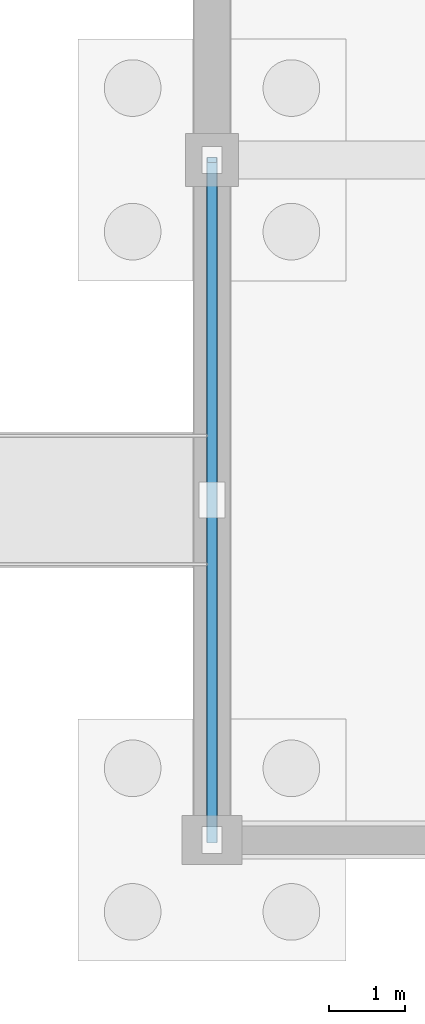
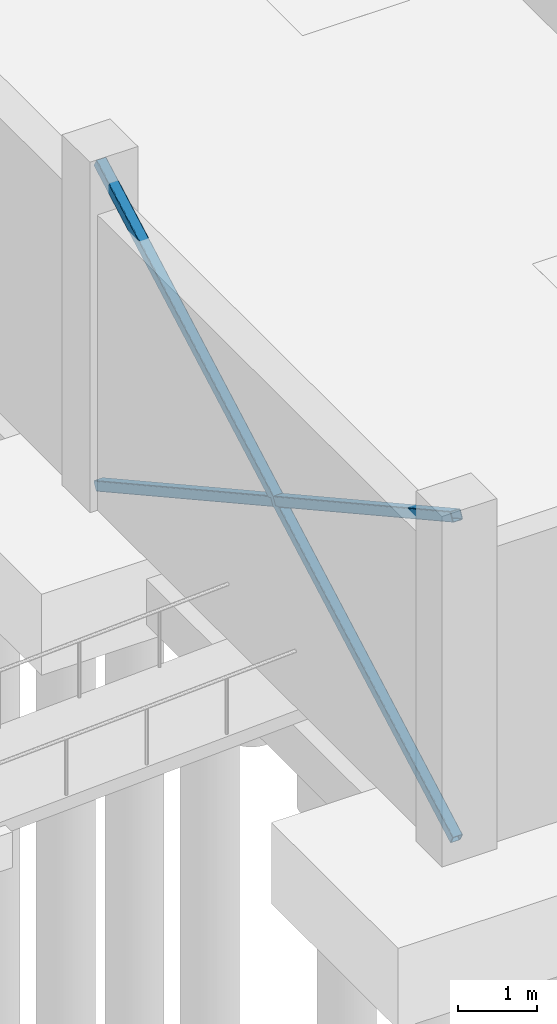
# One storey, part 55 of 118: 3 members.
"""IFC4 building model written with IfcOpenShell, lengths in metres."""

from ifc_helpers import new_model, si_unit, direction, frame, origin, origin_2d, place, context, subcontext, project, spatial, hollow_rectangle, extrude, material, material_profile, profile_set, type_object, element, save


model = new_model("IFC4")

# Units and contexts
model_context = context("Model", 3, precision=1e-05, world=origin(), true_north=direction((0.0, 1.0)))
body_context = subcontext(model_context, "Body", "Model", "MODEL_VIEW")
ifc_project = project(units=[si_unit("LENGTHUNIT", "METRE"), si_unit("AREAUNIT", "SQUARE_METRE"), si_unit("VOLUMEUNIT", "CUBIC_METRE"), si_unit("PLANEANGLEUNIT", "RADIAN"), si_unit("MASSUNIT", "GRAM", prefix="KILO")], contexts=[model_context])

# Site, building, storey
site_placement = place(None, origin())
site = spatial("IfcSite", under=ifc_project, at=site_placement, CompositionType="ELEMENT")
building_placement = place(site_placement, origin())
building = spatial("IfcBuilding", under=site, at=building_placement, Name="Kildeholm Park Wholesale Market", CompositionType="ELEMENT")
storey_placement = place(building_placement, origin())
storey = spatial("IfcBuildingStorey", under=building, at=storey_placement, Name="L00", CompositionType="ELEMENT", Elevation=0.0)

# Members
ifc_material = material(Name="Steel S355", Category="steel")
ifc_material_profile = material_profile(ifc_material, hollow_rectangle(XDim=0.14990234375, YDim=0.14990234375, WallThickness=0.010009765625, InnerFilletRadius=0.010009765625, OuterFilletRadius=0.02001953125, at=origin_2d()), Name="SHS 150x150x10")
ifc_profile_set = profile_set([ifc_material_profile], Name="Steel S355")
member_type = type_object("IfcMemberType", Name="Member TB-03 SHS 150x150x10", PredefinedType="BRACE", material=ifc_profile_set)
member_placement = place(storey_placement, frame((0.0, 99.0, 0.10009765625), z_axis=(0.0, 0.874982272, 0.48415495834), x_axis=(-1.0, 0.0, 0.0)))
element("IfcMember", 1, at=member_placement, inside=storey, type_object=member_type, Name="Member BR-V4-L00-1 MEM-0348", PredefinedType="BRACE", context=body_context, shape_type="SweptSolid", body=[
    extrude(hollow_rectangle(XDim=0.14990234375, YDim=0.14990234375, WallThickness=0.010009765625, InnerFilletRadius=0.010009765625, OuterFilletRadius=0.02001953125, at=origin_2d()), origin(), (0.0, 0.0, 1.0), 10.285888671875),
])
for number, where, z_axis, x_axis, name in (
    (2, (0.0, 108.0, 0.10009765625), (0.0, -0.874999978051, 0.484122957947), (1.0, 0.0, 0.0), "Member BR-V4-L00-2A MEM-0349"),
    (3, (0.0, 103.465087890625, 2.609375), (0.0, -0.874979711111, 0.484159586442), (1.0, 0.0, 0.0), "Member BR-V4-L00-2B MEM-0350"),
):
    element("IfcMember", number, at=place(storey_placement, frame(where, z_axis=z_axis, x_axis=x_axis)), inside=storey, type_object=member_type, Name=name, PredefinedType="BRACE", context=body_context, shape_type="SweptSolid", body=[
        extrude(hollow_rectangle(XDim=0.14990234375, YDim=0.14990234375, WallThickness=0.010009765625, InnerFilletRadius=0.010009765625, OuterFilletRadius=0.02001953125, at=origin_2d()), origin(), (0.0, 0.0, 1.0), 5.10302734375),
    ])

save(model, "model.ifc")
